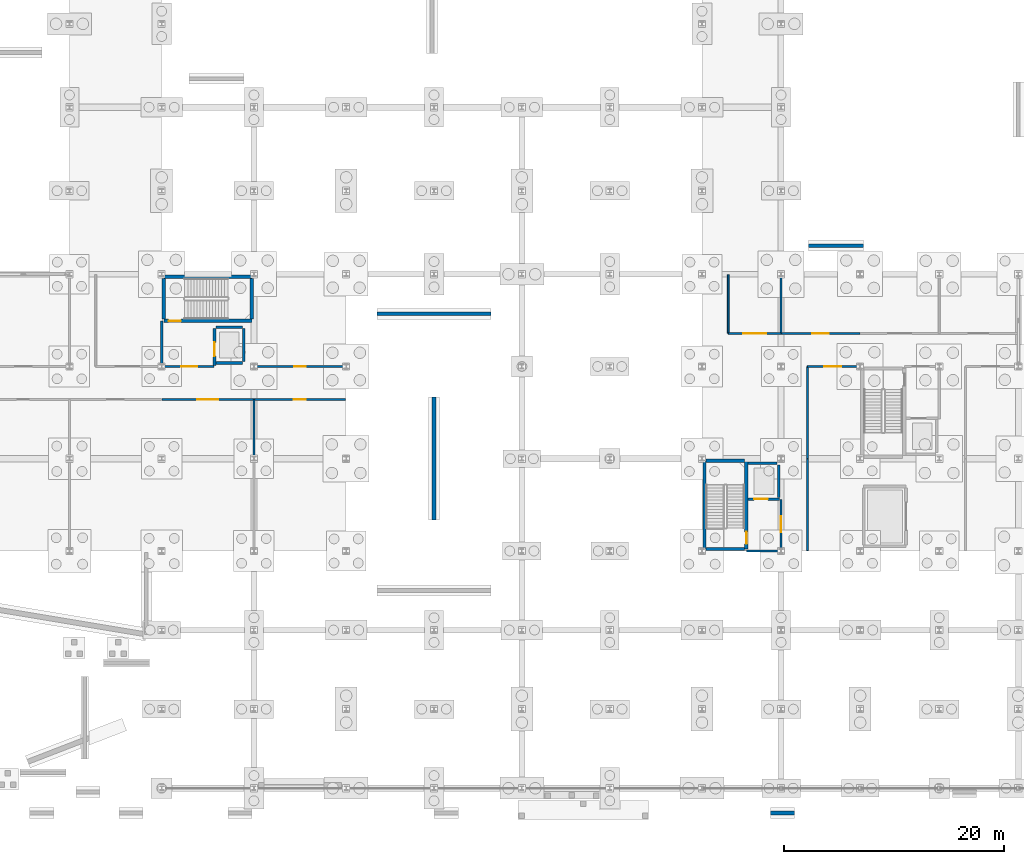
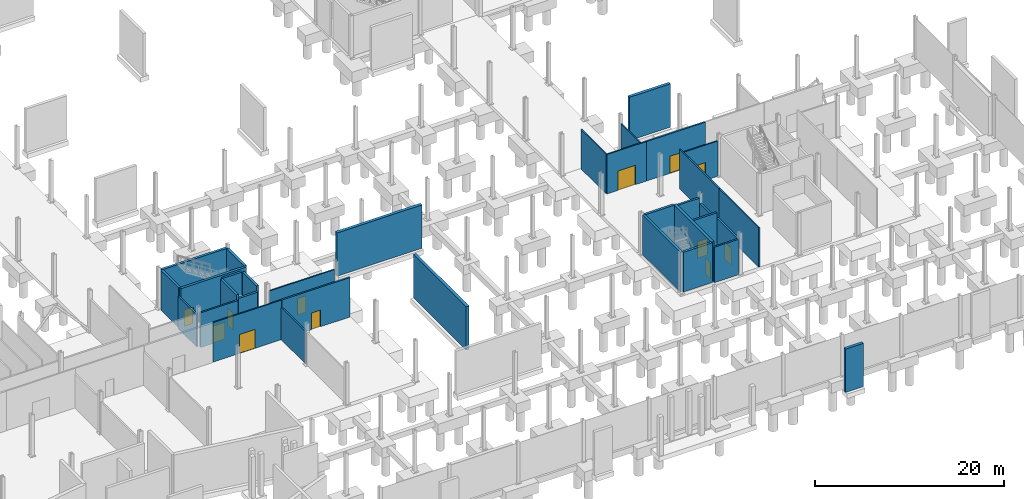
# One storey, part 46 of 61: 34 walls, 12 doors, 12 openings.
"""IFC4 building model written with IfcOpenShell, lengths in metres."""

from ifc_helpers import new_model, si_unit, direction, frame, frame_2d, origin, place, context, subcontext, project, spatial, rectangle, extrude, material, layer, layer_set, type_object, element, fill, save


model = new_model("IFC4")

# Units and contexts
model_context = context("Model", 3, precision=1e-05, world=origin(), true_north=direction((0.0, 1.0)))
body_context = subcontext(model_context, "Body", "Model", "MODEL_VIEW")
ifc_project = project(units=[si_unit("LENGTHUNIT", "METRE"), si_unit("AREAUNIT", "SQUARE_METRE"), si_unit("VOLUMEUNIT", "CUBIC_METRE"), si_unit("PLANEANGLEUNIT", "RADIAN"), si_unit("MASSUNIT", "GRAM", prefix="KILO")], contexts=[model_context])

# Site, building, storey
site_placement = place(None, origin())
site = spatial("IfcSite", under=ifc_project, at=site_placement, CompositionType="ELEMENT")
building_placement = place(site_placement, origin())
building = spatial("IfcBuilding", under=site, at=building_placement, Name="Calvrana Isthmian Art Gallery", CompositionType="ELEMENT")
storey_placement = place(building_placement, frame((0.0, 0.0, -5.39990234375)))
storey = spatial("IfcBuildingStorey", under=building, at=storey_placement, Name="B1", CompositionType="ELEMENT", Elevation=-5.39990234375)

# Wall, opening, door
ifc_material_1 = material(Name="Concrete C40/50", Category="concrete")
ifc_layer_1 = layer(ifc_material_1, 0.300048828125, Name="Concrete C40/50")
ifc_layer_set_1 = layer_set([ifc_layer_1], Name="Concrete C40/50")
wall_type_1 = type_object("IfcWallType", Name="CW-SHAFT-300", PredefinedType="SHEAR", material=ifc_layer_set_1)
wall_1_placement = place(storey_placement, frame((63.7900390625, 42.56005859375, 0.0), z_axis=(0.0, 0.0, 1.0), x_axis=(1.0, 0.0, 0.0)))
wall_1 = element("IfcWall", 1, at=wall_1_placement, inside=storey, type_object=wall_type_1, Name="Core C2 shear wall S B1", PredefinedType="SHEAR", context=body_context, shape_type="SweptSolid", body=[
    extrude(rectangle(XDim=8.02001953125, YDim=0.300048828125, at=frame_2d((4.010009765625, 0.0))), origin(), (0.0, 0.0, 1.0), 5.119873046875),
])
opening_1_placement = place(wall_1_placement, frame((0.449951171875, 0.0, 0.0)))
opening_1 = element("IfcOpeningElement", 2, at=opening_1_placement, cuts=wall_1, Name="Opening D-114", PredefinedType="OPENING", context=body_context, shape_type="SweptSolid", body=[
    extrude(rectangle(XDim=1.10009765625, YDim=2.14990234375, at=frame_2d((0.550048828125, 1.074951171875))), frame((0.0, 0.16015625, 0.0), z_axis=(0.0, -1.0, 0.0), x_axis=(1.0, 0.0, 0.0)), (0.0, 0.0, 1.0), 0.320556640625),
])
ifc_material_2 = material(Name="Steel ASTM A572 Gr 50", Category="steel")
door_type_1 = type_object("IfcDoorType", Name="DR-FIRE-1100", OperationType="NOTDEFINED", PredefinedType="DOOR", material=ifc_material_2)
door_1_placement = place(opening_1_placement, origin())
door_1 = element("IfcDoor", 3, at=door_1_placement, inside=storey, type_object=door_type_1, Name="Stair ST-2 fire door B1", OperationType="SINGLE_SWING_RIGHT", OverallHeight=2.14990234375, OverallWidth=1.10009765625, PredefinedType="DOOR", context=body_context, shape_type="SweptSolid", body=[
    extrude(rectangle(XDim=1.10009765625, YDim=2.14990234375, at=frame_2d((0.550048828125, 1.074951171875))), frame((0.0, 0.02490234375, 0.0), z_axis=(0.0, -1.0, 0.0), x_axis=(1.0, 0.0, 0.0)), (0.0, 0.0, 1.0), 0.050048828125),
])
fill(opening_1, door_1)

# Walls
wall_2_placement = place(storey_placement, frame((63.7900390625, 46.580078125, 0.0), z_axis=(0.0, 0.0, 1.0), x_axis=(1.0, 0.0, 0.0)))
element("IfcWall", 4, at=wall_2_placement, inside=storey, type_object=wall_type_1, Name="Core C2 shear wall N B1", PredefinedType="SHEAR", context=body_context, shape_type="SweptSolid", body=[
    extrude(rectangle(XDim=8.02001953125, YDim=0.300048828125, at=frame_2d((4.010009765625, 0.0))), origin(), (0.0, 0.0, 1.0), 5.119873046875),
])
for number, where, z_axis, x_axis, name in (
    (5, (63.7900390625, 42.7099609375, 0.0), (0.0, 0.0, 1.0), (0.0, 1.0, 0.0), "Core C2 shear wall W B1"),
    (6, (71.81005859375, 42.7099609375, 0.0), (0.0, 0.0, 1.0), (0.0, 1.0, 0.0), "Core C2 shear wall E B1"),
):
    element("IfcWall", number, at=place(storey_placement, frame(where, z_axis=z_axis, x_axis=x_axis)), inside=storey, type_object=wall_type_1, Name=name, PredefinedType="SHEAR", context=body_context, shape_type="SweptSolid", body=[
        extrude(rectangle(XDim=3.719970703125, YDim=0.300048828125, at=frame_2d((1.85986328125, 0.0))), origin(), (0.0, 0.0, 1.0), 5.119873046875),
    ])
wall_3_placement = place(storey_placement, frame((113.02001953125, 21.7900390625, 0.0), z_axis=(0.0, 0.0, 1.0), x_axis=(0.0, 1.0, 0.0)))
element("IfcWall", 7, at=wall_3_placement, inside=storey, type_object=wall_type_1, Name="Core C3 shear wall W B1", PredefinedType="SHEAR", context=body_context, shape_type="SweptSolid", body=[
    extrude(rectangle(XDim=8.02001953125, YDim=0.300048828125, at=frame_2d((4.010009765625, 0.0))), origin(), (0.0, 0.0, 1.0), 5.119873046875),
])

# Wall, opening, door
wall_4_placement = place(storey_placement, frame((116.840087890625, 21.7900390625, 0.0), z_axis=(0.0, 0.0, 1.0), x_axis=(0.0, 1.0, 0.0)))
wall_4 = element("IfcWall", 8, at=wall_4_placement, inside=storey, type_object=wall_type_1, Name="Core C3 shear wall E B1", PredefinedType="SHEAR", context=body_context, shape_type="SweptSolid", body=[
    extrude(rectangle(XDim=8.02001953125, YDim=0.300048828125, at=frame_2d((4.010009765625, 0.0))), origin(), (0.0, 0.0, 1.0), 5.119873046875),
])
opening_2_placement = place(wall_4_placement, frame((0.449951171875, 0.0, 0.0)))
opening_2 = element("IfcOpeningElement", 9, at=opening_2_placement, cuts=wall_4, Name="Opening D-128", PredefinedType="OPENING", context=body_context, shape_type="SweptSolid", body=[
    extrude(rectangle(XDim=1.10009765625, YDim=2.14990234375, at=frame_2d((0.550048828125, 1.074951171875))), frame((0.0, 0.16015625, 0.0), z_axis=(0.0, -1.0, 0.0), x_axis=(1.0, 0.0, 0.0)), (0.0, 0.0, 1.0), 0.320556640625),
])
door_2_placement = place(opening_2_placement, origin())
door_2 = element("IfcDoor", 10, at=door_2_placement, inside=storey, type_object=door_type_1, Name="Stair ST-3 fire door B1", OperationType="SINGLE_SWING_LEFT", OverallHeight=2.14990234375, OverallWidth=1.10009765625, PredefinedType="DOOR", context=body_context, shape_type="SweptSolid", body=[
    extrude(rectangle(XDim=1.10009765625, YDim=2.14990234375, at=frame_2d((0.550048828125, 1.074951171875))), frame((0.0, 0.02490234375, 0.0), z_axis=(0.0, -1.0, 0.0), x_axis=(1.0, 0.0, 0.0)), (0.0, 0.0, 1.0), 0.050048828125),
])
fill(opening_2, door_2)

# Walls
for number, where, z_axis, x_axis, name in (
    (11, (113.169921875, 21.7900390625, 0.0), (0.0, 0.0, 1.0), (1.0, 0.0, 0.0), "Core C3 shear wall S B1"),
    (12, (113.169921875, 29.81005859375, 0.0), (0.0, 0.0, 1.0), (1.0, 0.0, 0.0), "Core C3 shear wall N B1"),
):
    element("IfcWall", number, at=place(storey_placement, frame(where, z_axis=z_axis, x_axis=x_axis)), inside=storey, type_object=wall_type_1, Name=name, PredefinedType="SHEAR", context=body_context, shape_type="SweptSolid", body=[
        extrude(rectangle(XDim=3.52001953125, YDim=0.300048828125, at=frame_2d((1.760009765625, 0.0))), origin(), (0.0, 0.0, 1.0), 5.119873046875),
    ])
ifc_material_3 = material(Name="Acoustic gypsum ceiling", Category="gypsum")
ifc_layer_2 = layer(ifc_material_3, 0.199951171875, Name="Acoustic gypsum ceiling")
ifc_layer_set_2 = layer_set([ifc_layer_2], Name="Acoustic gypsum ceiling")
wall_type_2 = type_object("IfcWallType", Name="PW-FIRE-200", PredefinedType="PARTITIONING", material=ifc_layer_set_2)
wall_5_placement = place(storey_placement, frame((63.60009765625, 38.6201171875, 0.0), z_axis=(0.0, 0.0, 1.0), x_axis=(0.0, 1.0, 0.0)))
element("IfcWall", 13, at=wall_5_placement, inside=storey, type_object=wall_type_2, Name="Core C2 lobby west closure B1", PredefinedType="PARTITIONING", context=body_context, shape_type="SweptSolid", body=[
    extrude(rectangle(XDim=3.919921875, YDim=0.199951171875, at=frame_2d((1.9599609375, 0.0))), origin(), (0.0, 0.0, 1.0), 4.1728515625),
])

# Wall, opening, door
wall_6_placement = place(storey_placement, frame((63.820068359375, 38.39990234375, 0.0), z_axis=(0.0, 0.0, 1.0), x_axis=(1.0, 0.0, 0.0)))
wall_6 = element("IfcWall", 14, at=wall_6_placement, inside=storey, type_object=wall_type_2, Name="Core C2 lobby enclosure B1", PredefinedType="PARTITIONING", context=body_context, shape_type="SweptSolid", body=[
    extrude(rectangle(XDim=4.559814453125, YDim=0.199951171875, at=frame_2d((2.27978515625, 0.0))), origin(), (0.0, 0.0, 1.0), 4.48779296875),
])
opening_3_placement = place(wall_6_placement, frame((1.554931640625, 0.0, 0.0)))
opening_3 = element("IfcOpeningElement", 15, at=opening_3_placement, cuts=wall_6, Name="Opening D-115", PredefinedType="OPENING", context=body_context, shape_type="SweptSolid", body=[
    extrude(rectangle(XDim=1.449951171875, YDim=2.199951171875, at=frame_2d((0.72509765625, 1.10009765625))), frame((0.0, 0.1103515625, 0.0), z_axis=(0.0, -1.0, 0.0), x_axis=(1.0, 0.0, 0.0)), (0.0, 0.0, 1.0), 0.220458984375),
])
door_type_2 = type_object("IfcDoorType", Name="DR-LOBBY-1450", OperationType="DOUBLE_DOOR_SINGLE_SWING", PredefinedType="DOOR", material=ifc_material_2)
door_3_placement = place(opening_3_placement, origin())
door_3 = element("IfcDoor", 16, at=door_3_placement, inside=storey, type_object=door_type_2, Name="Core C2 lobby fire door B1", OperationType="DOUBLE_DOOR_SINGLE_SWING", OverallHeight=2.199951171875, OverallWidth=1.449951171875, PredefinedType="DOOR", context=body_context, shape_type="SweptSolid", body=[
    extrude(rectangle(XDim=1.449951171875, YDim=2.199951171875, at=frame_2d((0.72509765625, 1.10009765625))), frame((0.0, 0.02490234375, 0.0), z_axis=(0.0, -1.0, 0.0), x_axis=(1.0, 0.0, 0.0)), (0.0, 0.0, 1.0), 0.050048828125),
])
fill(opening_3, door_3)

# Wall
wall_7_placement = place(storey_placement, frame((116.85009765625, 21.60009765625, 0.0), z_axis=(0.0, 0.0, 1.0), x_axis=(1.0, 0.0, 0.0)))
element("IfcWall", 17, at=wall_7_placement, inside=storey, type_object=wall_type_2, Name="Core C3 lobby south closure B1", PredefinedType="PARTITIONING", context=body_context, shape_type="SweptSolid", body=[
    extrude(rectangle(XDim=2.929931640625, YDim=0.199951171875, at=frame_2d((1.46484375, 0.0))), origin(), (0.0, 0.0, 1.0), 4.56689453125),
])

# Wall, opening, door
wall_8_placement = place(storey_placement, frame((120.0, 21.820068359375, 0.0), z_axis=(0.0, 0.0, 1.0), x_axis=(0.0, 1.0, 0.0)))
wall_8 = element("IfcWall", 18, at=wall_8_placement, inside=storey, type_object=wall_type_2, Name="Core C3 lobby enclosure B1", PredefinedType="PARTITIONING", context=body_context, shape_type="SweptSolid", body=[
    extrude(rectangle(XDim=4.4599609375, YDim=0.199951171875, at=frame_2d((2.22998046875, 0.0))), origin(), (0.0, 0.0, 1.0), 4.406982421875),
])
opening_4_placement = place(wall_8_placement, frame((1.5048828125, 0.0, 0.0)))
opening_4 = element("IfcOpeningElement", 19, at=opening_4_placement, cuts=wall_8, Name="Opening D-129", PredefinedType="OPENING", context=body_context, shape_type="SweptSolid", body=[
    extrude(rectangle(XDim=1.449951171875, YDim=2.199951171875, at=frame_2d((0.72509765625, 1.10009765625))), frame((0.0, 0.1103515625, 0.0), z_axis=(0.0, -1.0, 0.0), x_axis=(1.0, 0.0, 0.0)), (0.0, 0.0, 1.0), 0.220458984375),
])
door_4_placement = place(opening_4_placement, origin())
door_4 = element("IfcDoor", 20, at=door_4_placement, inside=storey, type_object=door_type_2, Name="Core C3 lobby fire door B1", OperationType="DOUBLE_DOOR_SINGLE_SWING", OverallHeight=2.199951171875, OverallWidth=1.449951171875, PredefinedType="DOOR", context=body_context, shape_type="SweptSolid", body=[
    extrude(rectangle(XDim=1.449951171875, YDim=2.199951171875, at=frame_2d((0.72509765625, 1.10009765625))), frame((0.0, 0.02490234375, 0.0), z_axis=(0.0, -1.0, 0.0), x_axis=(1.0, 0.0, 0.0)), (0.0, 0.0, 1.0), 0.050048828125),
])
fill(opening_4, door_4)

wall_9_placement = place(storey_placement, frame((72.010009765625, 35.389892578125, 0.0), z_axis=(0.0, 0.0, 1.0), x_axis=(1.0, 0.0, 0.0)))
wall_9 = element("IfcWall", 21, at=wall_9_placement, inside=storey, type_object=wall_type_2, Name="Interior partition PW-015", PredefinedType="PARTITIONING", context=body_context, shape_type="SweptSolid", body=[
    extrude(rectangle(XDim=8.330078125, YDim=0.199951171875, at=frame_2d((4.1650390625, 0.0))), origin(), (0.0, 0.0, 1.0), 5.099853515625),
])
opening_5_placement = place(wall_9_placement, frame((3.614990234375, 0.0, 0.0)))
opening_5 = element("IfcOpeningElement", 22, at=opening_5_placement, cuts=wall_9, Name="Opening D-196", PredefinedType="OPENING", context=body_context, shape_type="SweptSolid", body=[
    extrude(rectangle(XDim=1.10009765625, YDim=2.14990234375, at=frame_2d((0.550048828125, 1.074951171875))), frame((0.0, 0.1103515625, 0.0), z_axis=(0.0, -1.0, 0.0), x_axis=(1.0, 0.0, 0.0)), (0.0, 0.0, 1.0), 0.220458984375),
])
door_5_placement = place(opening_5_placement, origin())
door_5 = element("IfcDoor", 23, at=door_5_placement, inside=storey, type_object=door_type_1, Name="Interior door D-196", OperationType="SINGLE_SWING_RIGHT", OverallHeight=2.14990234375, OverallWidth=1.10009765625, PredefinedType="DOOR", context=body_context, shape_type="SweptSolid", body=[
    extrude(rectangle(XDim=1.10009765625, YDim=2.14990234375, at=frame_2d((0.550048828125, 1.074951171875))), frame((0.0, 0.02490234375, 0.0), z_axis=(0.0, -1.0, 0.0), x_axis=(1.0, 0.0, 0.0)), (0.0, 0.0, 1.0), 0.050048828125),
])
fill(opening_5, door_5)

wall_10_placement = place(storey_placement, frame((120.010009765625, 41.409912109375, 0.0), z_axis=(0.0, 0.0, 1.0), x_axis=(1.0, 0.0, 0.0)))
wall_10 = element("IfcWall", 24, at=wall_10_placement, inside=storey, type_object=wall_type_2, Name="Interior partition PW-053", PredefinedType="PARTITIONING", context=body_context, shape_type="SweptSolid", body=[
    extrude(rectangle(XDim=7.179931640625, YDim=0.199951171875, at=frame_2d((3.58984375, 0.0))), origin(), (0.0, 0.0, 1.0), 5.099853515625),
])
opening_6_placement = place(wall_10_placement, frame((2.840087890625, 0.0, 0.0)))
opening_6 = element("IfcOpeningElement", 25, at=opening_6_placement, cuts=wall_10, Name="Opening D-217", PredefinedType="OPENING", context=body_context, shape_type="SweptSolid", body=[
    extrude(rectangle(XDim=1.5, YDim=2.199951171875, at=frame_2d((0.75, 1.10009765625))), frame((0.0, 0.1103515625, 0.0), z_axis=(0.0, -1.0, 0.0), x_axis=(1.0, 0.0, 0.0)), (0.0, 0.0, 1.0), 0.220458984375),
])
door_type_3 = type_object("IfcDoorType", Name="DR-STAIR-1500", OperationType="NOTDEFINED", PredefinedType="DOOR", material=ifc_material_2)
door_6_placement = place(opening_6_placement, origin())
door_6 = element("IfcDoor", 26, at=door_6_placement, inside=storey, type_object=door_type_3, Name="Interior door D-217", OperationType="SINGLE_SWING_LEFT", OverallHeight=2.199951171875, OverallWidth=1.5, PredefinedType="DOOR", context=body_context, shape_type="SweptSolid", body=[
    extrude(rectangle(XDim=1.5, YDim=2.199951171875, at=frame_2d((0.75, 1.10009765625))), frame((0.0, 0.02490234375, 0.0), z_axis=(0.0, -1.0, 0.0), x_axis=(1.0, 0.0, 0.0)), (0.0, 0.0, 1.0), 0.050048828125),
])
fill(opening_6, door_6)

ifc_layer_3 = layer(ifc_material_3, 0.159912109375, Name="Acoustic gypsum ceiling")
ifc_layer_set_3 = layer_set([ifc_layer_3], Name="Acoustic gypsum ceiling")
wall_type_3 = type_object("IfcWallType", Name="PW-GAL-160", PredefinedType="PARTITIONING", material=ifc_layer_set_3)
wall_11_placement = place(storey_placement, frame((63.610107421875, 35.389892578125, 0.0), z_axis=(0.0, 0.0, 1.0), x_axis=(1.0, 0.0, 0.0)))
wall_11 = element("IfcWall", 27, at=wall_11_placement, inside=storey, type_object=wall_type_3, Name="Interior partition PW-012", PredefinedType="PARTITIONING", context=body_context, shape_type="SweptSolid", body=[
    extrude(rectangle(XDim=8.3798828125, YDim=0.159912109375, at=frame_2d((4.18994140625, 0.0))), origin(), (0.0, 0.0, 1.0), 5.099853515625),
])
opening_7_placement = place(wall_11_placement, frame((3.239990234375, 0.0, 0.0)))
opening_7 = element("IfcOpeningElement", 28, at=opening_7_placement, cuts=wall_11, Name="Opening D-195", PredefinedType="OPENING", context=body_context, shape_type="SweptSolid", body=[
    extrude(rectangle(XDim=1.89990234375, YDim=2.449951171875, at=frame_2d((0.949951171875, 1.22509765625))), frame((0.0, 0.09033203125, 0.0), z_axis=(0.0, -1.0, 0.0), x_axis=(1.0, 0.0, 0.0)), (0.0, 0.0, 1.0), 0.180419921875),
])
ifc_material_4 = material(Name="Timber gallery flooring", Category="wood")
door_type_4 = type_object("IfcDoorType", Name="DR-GAL-1900", OperationType="DOUBLE_DOOR_SINGLE_SWING", PredefinedType="DOOR", material=ifc_material_4)
door_7_placement = place(opening_7_placement, origin())
door_7 = element("IfcDoor", 29, at=door_7_placement, inside=storey, type_object=door_type_4, Name="Interior door D-195", OperationType="DOUBLE_DOOR_SINGLE_SWING", OverallHeight=2.449951171875, OverallWidth=1.89990234375, PredefinedType="DOOR", context=body_context, shape_type="SweptSolid", body=[
    extrude(rectangle(XDim=1.89990234375, YDim=2.449951171875, at=frame_2d((0.949951171875, 1.22509765625))), frame((0.0, 0.02490234375, 0.0), z_axis=(0.0, -1.0, 0.0), x_axis=(1.0, 0.0, 0.0)), (0.0, 0.0, 1.0), 0.050048828125),
])
fill(opening_7, door_7)

# Wall
wall_12_placement = place(storey_placement, frame((72.0, 30.2119140625, 0.0), z_axis=(0.0, 0.0, 1.0), x_axis=(0.0, 1.0, 0.0)))
element("IfcWall", 30, at=wall_12_placement, inside=storey, type_object=wall_type_3, Name="Interior partition PW-014", PredefinedType="PARTITIONING", context=body_context, shape_type="SweptSolid", body=[
    extrude(rectangle(XDim=5.16796875, YDim=0.159912109375, at=frame_2d((2.583984375, 0.0))), origin(), (0.0, 0.0, 1.0), 4.1728515625),
])

# Wall, opening, door
wall_13_placement = place(storey_placement, frame((72.215576171875, 38.39990234375, 0.0), z_axis=(0.0, 0.0, 1.0), x_axis=(1.0, 0.0, 0.0)))
wall_13 = element("IfcWall", 31, at=wall_13_placement, inside=storey, type_object=wall_type_3, Name="Interior partition PW-029", PredefinedType="PARTITIONING", context=body_context, shape_type="SweptSolid", body=[
    extrude(rectangle(XDim=7.969970703125, YDim=0.159912109375, at=frame_2d((3.98486328125, 0.0))), origin(), (0.0, 0.0, 1.0), 4.337890625),
])
opening_8_placement = place(wall_13_placement, frame((3.4599609375, 0.0, 0.0)))
opening_8 = element("IfcOpeningElement", 32, at=opening_8_placement, cuts=wall_13, Name="Opening D-204", PredefinedType="OPENING", context=body_context, shape_type="SweptSolid", body=[
    extrude(rectangle(XDim=1.050048828125, YDim=2.14990234375, at=frame_2d((0.52490234375, 1.074951171875))), frame((0.0, 0.09033203125, 0.0), z_axis=(0.0, -1.0, 0.0), x_axis=(1.0, 0.0, 0.0)), (0.0, 0.0, 1.0), 0.180419921875),
])
door_type_5 = type_object("IfcDoorType", Name="DR-RM-1050", OperationType="NOTDEFINED", PredefinedType="DOOR", material=ifc_material_4)
door_8_placement = place(opening_8_placement, origin())
door_8 = element("IfcDoor", 33, at=door_8_placement, inside=storey, type_object=door_type_5, Name="Interior door D-204", OperationType="SINGLE_SWING_RIGHT", OverallHeight=2.14990234375, OverallWidth=1.050048828125, PredefinedType="DOOR", context=body_context, shape_type="SweptSolid", body=[
    extrude(rectangle(XDim=1.050048828125, YDim=2.14990234375, at=frame_2d((0.52490234375, 1.074951171875))), frame((0.0, 0.02490234375, 0.0), z_axis=(0.0, -1.0, 0.0), x_axis=(1.0, 0.0, 0.0)), (0.0, 0.0, 1.0), 0.050048828125),
])
fill(opening_8, door_8)

# Walls
wall_14_placement = place(storey_placement, frame((122.39990234375, 21.639892578125, 0.0), z_axis=(0.0, 0.0, 1.0), x_axis=(0.0, 1.0, 0.0)))
element("IfcWall", 34, at=wall_14_placement, inside=storey, type_object=wall_type_3, Name="Interior partition PW-044", PredefinedType="PARTITIONING", context=body_context, shape_type="SweptSolid", body=[
    extrude(rectangle(XDim=8.340087890625, YDim=0.159912109375, at=frame_2d((4.169921875, 0.0))), origin(), (0.0, 0.0, 1.0), 5.099853515625),
])
wall_15_placement = place(storey_placement, frame((122.39990234375, 30.02001953125, 0.0), z_axis=(0.0, 0.0, 1.0), x_axis=(0.0, 1.0, 0.0)))
element("IfcWall", 35, at=wall_15_placement, inside=storey, type_object=wall_type_3, Name="Interior partition PW-045", PredefinedType="PARTITIONING", context=body_context, shape_type="SweptSolid", body=[
    extrude(rectangle(XDim=8.35986328125, YDim=0.159912109375, at=frame_2d((4.179931640625, 0.0))), origin(), (0.0, 0.0, 1.0), 5.099853515625),
])

# Wall, opening, door
wall_16_placement = place(storey_placement, frame((122.39990234375, 38.39990234375, 0.0), z_axis=(0.0, 0.0, 1.0), x_axis=(1.0, 0.0, 0.0)))
wall_16 = element("IfcWall", 36, at=wall_16_placement, inside=storey, type_object=wall_type_3, Name="Interior partition PW-046", PredefinedType="PARTITIONING", context=body_context, shape_type="SweptSolid", body=[
    extrude(rectangle(XDim=4.5830078125, YDim=0.159912109375, at=frame_2d((2.29150390625, 0.0))), origin(), (0.0, 0.0, 1.0), 4.55078125),
])
opening_9_placement = place(wall_16_placement, frame((1.5166015625, 0.0, 0.0)))
opening_9 = element("IfcOpeningElement", 37, at=opening_9_placement, cuts=wall_16, Name="Opening D-214", PredefinedType="OPENING", context=body_context, shape_type="SweptSolid", body=[
    extrude(rectangle(XDim=1.550048828125, YDim=2.300048828125, at=frame_2d((0.77490234375, 1.14990234375))), frame((0.0, 0.09033203125, 0.0), z_axis=(0.0, -1.0, 0.0), x_axis=(1.0, 0.0, 0.0)), (0.0, 0.0, 1.0), 0.180419921875),
])
door_type_6 = type_object("IfcDoorType", Name="DR-AUD-1550", OperationType="DOUBLE_DOOR_SINGLE_SWING", PredefinedType="DOOR", material=ifc_material_4)
door_9_placement = place(opening_9_placement, origin())
door_9 = element("IfcDoor", 38, at=door_9_placement, inside=storey, type_object=door_type_6, Name="Interior door D-214", OperationType="DOUBLE_DOOR_SINGLE_SWING", OverallHeight=2.300048828125, OverallWidth=1.550048828125, PredefinedType="DOOR", context=body_context, shape_type="SweptSolid", body=[
    extrude(rectangle(XDim=1.550048828125, YDim=2.300048828125, at=frame_2d((0.77490234375, 1.14990234375))), frame((0.0, 0.02490234375, 0.0), z_axis=(0.0, -1.0, 0.0), x_axis=(1.0, 0.0, 0.0)), (0.0, 0.0, 1.0), 0.050048828125),
])
fill(opening_9, door_9)

# Wall
wall_17_placement = place(storey_placement, frame((115.199951171875, 41.429931640625, 0.0), z_axis=(0.0, 0.0, 1.0), x_axis=(0.0, 1.0, 0.0)))
element("IfcWall", 39, at=wall_17_placement, inside=storey, type_object=wall_type_3, Name="Interior partition PW-050", PredefinedType="PARTITIONING", context=body_context, shape_type="SweptSolid", body=[
    extrude(rectangle(XDim=5.330078125, YDim=0.159912109375, at=frame_2d((2.6650390625, 0.0))), origin(), (0.0, 0.0, 1.0), 5.099853515625),
])

# Wall, opening, door
wall_18_placement = place(storey_placement, frame((115.199951171875, 41.409912109375, 0.0), z_axis=(0.0, 0.0, 1.0), x_axis=(1.0, 0.0, 0.0)))
wall_18 = element("IfcWall", 40, at=wall_18_placement, inside=storey, type_object=wall_type_3, Name="Interior partition PW-051", PredefinedType="PARTITIONING", context=body_context, shape_type="SweptSolid", body=[
    extrude(rectangle(XDim=4.7900390625, YDim=0.159912109375, at=frame_2d((2.39501953125, 0.0))), origin(), (0.0, 0.0, 1.0), 5.099853515625),
])
opening_10_placement = place(wall_18_placement, frame((1.344970703125, 0.0, 0.0)))
opening_10 = element("IfcOpeningElement", 41, at=opening_10_placement, cuts=wall_18, Name="Opening D-216", PredefinedType="OPENING", context=body_context, shape_type="SweptSolid", body=[
    extrude(rectangle(XDim=2.10009765625, YDim=2.5, at=frame_2d((1.050048828125, 1.25))), frame((0.0, 0.09033203125, 0.0), z_axis=(0.0, -1.0, 0.0), x_axis=(1.0, 0.0, 0.0)), (0.0, 0.0, 1.0), 0.180419921875),
])
door_type_7 = type_object("IfcDoorType", Name="DR-GAL-2100", OperationType="DOUBLE_DOOR_SINGLE_SWING", PredefinedType="DOOR", material=ifc_material_4)
door_10_placement = place(opening_10_placement, origin())
door_10 = element("IfcDoor", 42, at=door_10_placement, inside=storey, type_object=door_type_7, Name="Interior door D-216", OperationType="DOUBLE_DOOR_SINGLE_SWING", OverallHeight=2.5, OverallWidth=2.10009765625, PredefinedType="DOOR", context=body_context, shape_type="SweptSolid", body=[
    extrude(rectangle(XDim=2.10009765625, YDim=2.5, at=frame_2d((1.050048828125, 1.25))), frame((0.0, 0.02490234375, 0.0), z_axis=(0.0, -1.0, 0.0), x_axis=(1.0, 0.0, 0.0)), (0.0, 0.0, 1.0), 0.050048828125),
])
fill(opening_10, door_10)

# Walls
wall_19_placement = place(storey_placement, frame((120.0, 41.419921875, 0.0), z_axis=(0.0, 0.0, 1.0), x_axis=(0.0, 1.0, 0.0)))
element("IfcWall", 43, at=wall_19_placement, inside=storey, type_object=wall_type_3, Name="Interior partition PW-052", PredefinedType="PARTITIONING", context=body_context, shape_type="SweptSolid", body=[
    extrude(rectangle(XDim=5.16796875, YDim=0.159912109375, at=frame_2d((2.583984375, 0.0))), origin(), (0.0, 0.0, 1.0), 4.223876953125),
])
ifc_material_5 = material(Name="Concrete C35/45", Category="concrete")
ifc_layer_4 = layer(ifc_material_5, 0.25, Name="Concrete C35/45")
ifc_layer_set_4 = layer_set([ifc_layer_4], Name="Concrete C35/45")
wall_type_4 = type_object("IfcWallType", Name="PW-SHAFT-250", PredefinedType="PARTITIONING", material=ifc_layer_set_4)
wall_20_placement = place(storey_placement, frame((71.080078125, 38.85009765625, 0.0), z_axis=(0.0, 0.0, 1.0), x_axis=(0.0, 1.0, 0.0)))
element("IfcWall", 44, at=wall_20_placement, inside=storey, type_object=wall_type_4, Name="Lift EL-02 shaft wall E B1", PredefinedType="PARTITIONING", context=body_context, shape_type="SweptSolid", body=[
    extrude(rectangle(XDim=3.0, YDim=0.25, at=frame_2d((1.5, 0.0))), origin(), (0.0, 0.0, 1.0), 5.119873046875),
])
wall_21_placement = place(storey_placement, frame((68.550048828125, 38.719970703125, 0.0), z_axis=(0.0, 0.0, 1.0), x_axis=(1.0, 0.0, 0.0)))
element("IfcWall", 45, at=wall_21_placement, inside=storey, type_object=wall_type_4, Name="Lift EL-02 shaft wall S B1", PredefinedType="PARTITIONING", context=body_context, shape_type="SweptSolid", body=[
    extrude(rectangle(XDim=2.39990234375, YDim=0.25, at=frame_2d((1.199951171875, 0.0))), origin(), (0.0, 0.0, 1.0), 4.48779296875),
])
wall_22_placement = place(storey_placement, frame((68.550048828125, 41.97998046875, 0.0), z_axis=(0.0, 0.0, 1.0), x_axis=(1.0, 0.0, 0.0)))
element("IfcWall", 46, at=wall_22_placement, inside=storey, type_object=wall_type_4, Name="Lift EL-02 shaft wall N B1", PredefinedType="PARTITIONING", context=body_context, shape_type="SweptSolid", body=[
    extrude(rectangle(XDim=2.39990234375, YDim=0.25, at=frame_2d((1.199951171875, 0.0))), origin(), (0.0, 0.0, 1.0), 5.119873046875),
])

# Wall, opening, door
wall_23_placement = place(storey_placement, frame((68.419921875, 38.5, 0.0), z_axis=(0.0, 0.0, 1.0), x_axis=(0.0, 1.0, 0.0)))
wall_23 = element("IfcWall", 47, at=wall_23_placement, inside=storey, type_object=wall_type_4, Name="Lift EL-02 shaft wall W B1", PredefinedType="PARTITIONING", context=body_context, shape_type="SweptSolid", body=[
    extrude(rectangle(XDim=3.35009765625, YDim=0.25, at=frame_2d((1.675048828125, 0.0))), origin(), (0.0, 0.0, 1.0), 5.119873046875),
])
opening_11_placement = place(wall_23_placement, frame((0.85009765625, 0.0, 0.0)))
opening_11 = element("IfcOpeningElement", 48, at=opening_11_placement, cuts=wall_23, Name="Opening LD-02-B1", PredefinedType="OPENING", context=body_context, shape_type="SweptSolid", body=[
    extrude(rectangle(XDim=1.25, YDim=2.14990234375, at=frame_2d((0.625, 1.074951171875))), frame((0.0, 0.13525390625, 0.0), z_axis=(0.0, -1.0, 0.0), x_axis=(1.0, 0.0, 0.0)), (0.0, 0.0, 1.0), 0.2705078125),
])
ifc_material_6 = material(Name="Stainless steel 316", Category="steel")
door_type_8 = type_object("IfcDoorType", Name="DR-LIFT-1250", OperationType="DOUBLE_DOOR_SLIDING", PredefinedType="DOOR", material=ifc_material_6)
door_11_placement = place(opening_11_placement, origin())
door_11 = element("IfcDoor", 49, at=door_11_placement, inside=storey, type_object=door_type_8, Name="Lift EL-02 sliding landing door B1", OperationType="DOUBLE_DOOR_SLIDING", OverallHeight=2.14990234375, OverallWidth=1.25, PredefinedType="DOOR", context=body_context, shape_type="SweptSolid", body=[
    extrude(rectangle(XDim=1.25, YDim=2.14990234375, at=frame_2d((0.625, 1.074951171875))), frame((0.0, 0.02490234375, 0.0), z_axis=(0.0, -1.0, 0.0), x_axis=(1.0, 0.0, 0.0)), (0.0, 0.0, 1.0), 0.050048828125),
])
fill(opening_11, door_11)

# Walls
wall_24_placement = place(storey_placement, frame((116.989990234375, 29.580078125, 0.0), z_axis=(0.0, 0.0, 1.0), x_axis=(1.0, 0.0, 0.0)))
element("IfcWall", 50, at=wall_24_placement, inside=storey, type_object=wall_type_4, Name="Lift EL-03 shaft wall N B1", PredefinedType="PARTITIONING", context=body_context, shape_type="SweptSolid", body=[
    extrude(rectangle(XDim=2.659912109375, YDim=0.25, at=frame_2d((1.330078125, 0.0))), origin(), (0.0, 0.0, 1.0), 5.119873046875),
])
wall_25_placement = place(storey_placement, frame((119.780029296875, 26.449951171875, 0.0), z_axis=(0.0, 0.0, 1.0), x_axis=(0.0, 1.0, 0.0)))
element("IfcWall", 51, at=wall_25_placement, inside=storey, type_object=wall_type_4, Name="Lift EL-03 shaft wall E B1", PredefinedType="PARTITIONING", context=body_context, shape_type="SweptSolid", body=[
    extrude(rectangle(XDim=3.0, YDim=0.25, at=frame_2d((1.5, 0.0))), origin(), (0.0, 0.0, 1.0), 4.406982421875),
])

# Wall, opening, door
wall_26_placement = place(storey_placement, frame((116.989990234375, 26.320068359375, 0.0), z_axis=(0.0, 0.0, 1.0), x_axis=(1.0, 0.0, 0.0)))
wall_26 = element("IfcWall", 52, at=wall_26_placement, inside=storey, type_object=wall_type_4, Name="Lift EL-03 shaft wall S B1", PredefinedType="PARTITIONING", context=body_context, shape_type="SweptSolid", body=[
    extrude(rectangle(XDim=2.889892578125, YDim=0.25, at=frame_2d((1.44482421875, 0.0))), origin(), (0.0, 0.0, 1.0), 5.119873046875),
])
opening_12_placement = place(wall_26_placement, frame((0.550048828125, 0.0, 0.0)))
opening_12 = element("IfcOpeningElement", 53, at=opening_12_placement, cuts=wall_26, Name="Opening LD-03-B1", PredefinedType="OPENING", context=body_context, shape_type="SweptSolid", body=[
    extrude(rectangle(XDim=1.25, YDim=2.14990234375, at=frame_2d((0.625, 1.074951171875))), frame((0.0, 0.13525390625, 0.0), z_axis=(0.0, -1.0, 0.0), x_axis=(1.0, 0.0, 0.0)), (0.0, 0.0, 1.0), 0.2705078125),
])
door_12_placement = place(opening_12_placement, origin())
door_12 = element("IfcDoor", 54, at=door_12_placement, inside=storey, type_object=door_type_8, Name="Lift EL-03 sliding landing door B1", OperationType="DOUBLE_DOOR_SLIDING", OverallHeight=2.14990234375, OverallWidth=1.25, PredefinedType="DOOR", context=body_context, shape_type="SweptSolid", body=[
    extrude(rectangle(XDim=1.25, YDim=2.14990234375, at=frame_2d((0.625, 1.074951171875))), frame((0.0, 0.02490234375, 0.0), z_axis=(0.0, -1.0, 0.0), x_axis=(1.0, 0.0, 0.0)), (0.0, 0.0, 1.0), 0.050048828125),
])
fill(opening_12, door_12)

# Walls
ifc_layer_5 = layer(ifc_material_1, 0.35009765625, Name="Concrete C40/50")
ifc_layer_set_5 = layer_set([ifc_layer_5], Name="Concrete C40/50")
wall_type_5 = type_object("IfcWallType", Name="WL-RET-350", PredefinedType="USERDEFINED", material=ifc_layer_set_5)
wall_27_placement = place(storey_placement, frame((83.199951171875, 43.199951171875, -0.4501953125), z_axis=(0.0, 0.0, 1.0), x_axis=(1.0, 0.0, 0.0)))
element("IfcWall", 55, at=wall_27_placement, inside=storey, type_object=wall_type_5, Name="Cloister court retaining wall N", ObjectType="RETAINING WALL", PredefinedType="USERDEFINED", context=body_context, shape_type="SweptSolid", body=[
    extrude(rectangle(XDim=10.400146484375, YDim=0.35009765625, at=frame_2d((5.2001953125, 0.0))), origin(), (0.0, 0.0, 1.0), 5.60009765625),
])
wall_28_placement = place(storey_placement, frame((88.39990234375, 24.39990234375, -0.4501953125), z_axis=(0.0, 0.0, 1.0), x_axis=(0.0, 1.0, 0.0)))
element("IfcWall", 56, at=wall_28_placement, inside=storey, type_object=wall_type_5, Name="Cloister court retaining wall M", ObjectType="RETAINING WALL", PredefinedType="USERDEFINED", context=body_context, shape_type="SweptSolid", body=[
    extrude(rectangle(XDim=11.2001953125, YDim=0.35009765625, at=frame_2d((5.60009765625, 0.0))), origin(), (0.0, 0.0, 1.0), 5.60009765625),
])
wall_29_placement = place(storey_placement, frame((122.5, 49.39990234375, -0.4501953125), z_axis=(0.0, 0.0, 1.0), x_axis=(1.0, 0.0, 0.0)))
element("IfcWall", 57, at=wall_29_placement, inside=storey, type_object=wall_type_5, Name="Apron grade wall SLB_APR_ECORT-A", ObjectType="RETAINING WALL", PredefinedType="USERDEFINED", context=body_context, shape_type="SweptSolid", body=[
    extrude(rectangle(XDim=5.0, YDim=0.35009765625, at=frame_2d((2.5, 0.0))), origin(), (0.0, 0.0, 1.0), 5.60009765625),
])
wall_30_placement = place(storey_placement, frame((119.0439453125, -2.25, -0.4501953125), z_axis=(0.0, 0.0, 1.0), x_axis=(1.0, 0.0, 0.0)))
element("IfcWall", 58, at=wall_30_placement, inside=storey, type_object=wall_type_5, Name="Apron grade wall SLB_APR_SE_E-A", ObjectType="RETAINING WALL", PredefinedType="USERDEFINED", context=body_context, shape_type="SweptSolid", body=[
    extrude(rectangle(XDim=2.199951171875, YDim=0.35009765625, at=frame_2d((1.10009765625, 0.0))), origin(), (0.0, 0.0, 1.0), 5.60009765625),
])

save(model, "model.ifc")
